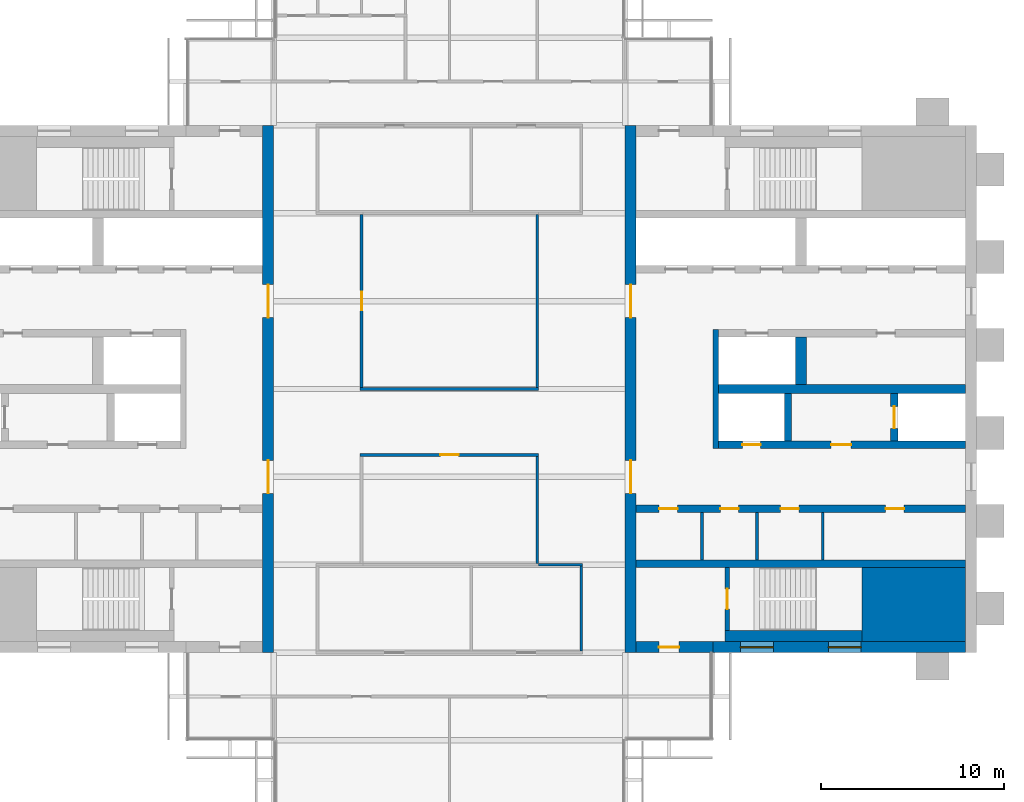
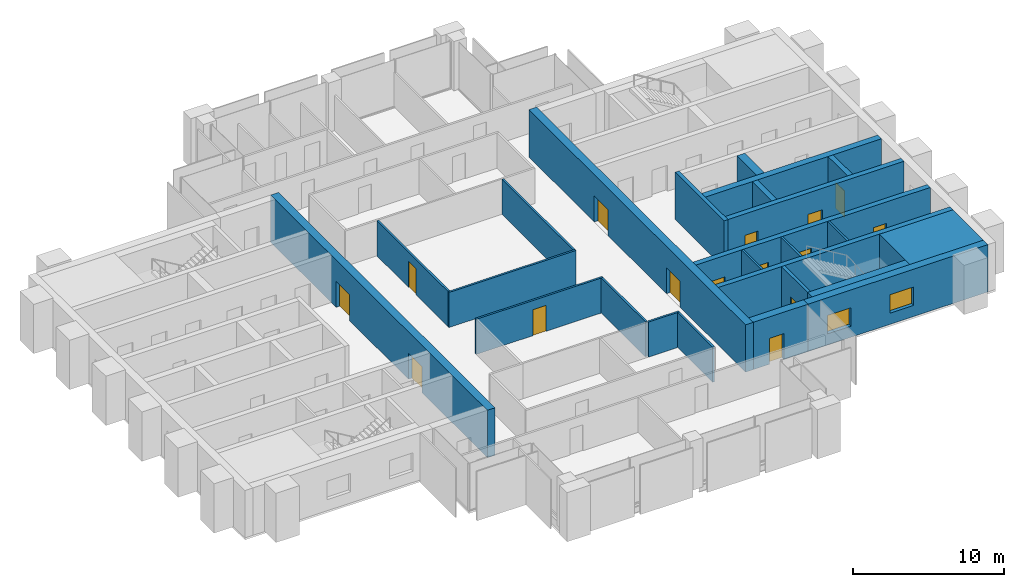
# One storey, part 9 of 13: 25 walls, 15 doors, 2 windows, 17 openings.
"""IFC4 building model written with IfcOpenShell, lengths in metres."""

from ifc_helpers import new_model, si_unit, direction, frame, frame_2d, origin, place, context, subcontext, project, spatial, rectangle, extrude, material, layer, layer_set, type_object, element, fill, save


model = new_model("IFC4")

# Units and contexts
model_context = context("Model", 3, precision=1e-05, world=origin(), true_north=direction((0.0, 1.0)))
body_context = subcontext(model_context, "Body", "Model", "MODEL_VIEW")
ifc_project = project(units=[si_unit("LENGTHUNIT", "METRE"), si_unit("AREAUNIT", "SQUARE_METRE"), si_unit("VOLUMEUNIT", "CUBIC_METRE"), si_unit("PLANEANGLEUNIT", "RADIAN"), si_unit("MASSUNIT", "GRAM", prefix="KILO")], contexts=[model_context])

# Site, building, storey
site_placement = place(None, origin())
site = spatial("IfcSite", under=ifc_project, at=site_placement, CompositionType="ELEMENT")
building_placement = place(site_placement, origin())
building = spatial("IfcBuilding", under=site, at=building_placement, Name="Baori Bourse Tower", CompositionType="ELEMENT")
storey_placement = place(building_placement, frame((0.0, 0.0, 346.300048828125)))
storey = spatial("IfcBuildingStorey", under=building, at=storey_placement, Name="L77", CompositionType="ELEMENT", Elevation=346.300048828125)

# Walls
ifc_material_1 = material(Name="Concrete f'c 40 MPa", Category="concrete")
wall_type_1 = type_object("IfcWallType", Name="Core corner block f'c 40", PredefinedType="SHEAR", material=ifc_material_1)
wall_1_placement = place(storey_placement, frame((51.35009765625, 12.22509765625, 0.0), z_axis=(0.0, 0.0, 1.0), x_axis=(1.0, 0.0, 0.0)))
element("IfcWall", 1, at=wall_1_placement, inside=storey, type_object=wall_type_1, Name="Core wall E05", PredefinedType="SHEAR", context=body_context, shape_type="SweptSolid", body=[
    extrude(rectangle(XDim=5.64990234375, YDim=4.050048828125, at=frame_2d((2.824951171875, 0.0))), origin(), (0.0, 0.0, 1.0), 3.83984375),
])
ifc_material_2 = material(Name="Blockwork partition", Category="masonry")
ifc_layer_1 = layer(ifc_material_2, 0.14990234375)
ifc_layer_set_1 = layer_set([ifc_layer_1], Name="Core partition 150")
wall_type_2 = type_object("IfcWallType", Name="Core partition 150", PredefinedType="PARTITIONING", material=ifc_layer_set_1)
for number, where, z_axis, x_axis, name in (
    (2, (49.199951171875, 14.64990234375, 0.0), (0.0, 0.0, 1.0), (0.0, 1.0, 0.0), "Partition wall E09"),
    (3, (45.60009765625, 14.64990234375, 0.0), (0.0, 0.0, 1.0), (0.0, 1.0, 0.0), "Partition wall E10"),
    (4, (42.60009765625, 14.64990234375, 0.0), (0.0, 0.0, 1.0), (0.0, 1.0, 0.0), "Partition wall E11"),
):
    element("IfcWall", number, at=place(storey_placement, frame(where, z_axis=z_axis, x_axis=x_axis)), inside=storey, type_object=wall_type_2, Name=name, PredefinedType="PARTITIONING", context=body_context, shape_type="SweptSolid", body=[
        extrude(rectangle(XDim=2.60009765625, YDim=0.14990234375, at=frame_2d((1.300048828125, 0.0))), origin(), (0.0, 0.0, 1.0), 3.83984375),
    ])

# Wall, openings, doors
ifc_material_3 = material(Name="Concrete f'c 40 MPa", Category="concrete")
ifc_layer_2 = layer(ifc_material_3, 0.60009765625)
ifc_layer_set_2 = layer_set([ifc_layer_2], Name="Core wall 600 f'c 40")
wall_type_3 = type_object("IfcWallType", Name="Core wall 600 f'c 40", PredefinedType="SHEAR", material=ifc_layer_set_2)
wall_2_placement = place(storey_placement, frame((18.89990234375, 38.39990234375, 0.0), z_axis=(0.0, 0.0, 1.0), x_axis=(0.0, -1.0, 0.0)))
wall_2 = element("IfcWall", 5, at=wall_2_placement, inside=storey, type_object=wall_type_3, Name="Core wall W04", PredefinedType="SHEAR", context=body_context, shape_type="SweptSolid", body=[
    extrude(rectangle(XDim=28.7998046875, YDim=0.60009765625, at=frame_2d((14.39990234375, 0.0))), origin(), (0.0, 0.0, 1.0), 3.83984375),
])
opening_1_placement = place(wall_2_placement, frame((18.300048828125, 0.0, 0.0)))
opening_1 = element("IfcOpeningElement", 6, at=opening_1_placement, cuts=wall_2, Name="Opening L77-D107", PredefinedType="OPENING", context=body_context, shape_type="SweptSolid", body=[
    extrude(rectangle(XDim=1.800048828125, YDim=2.10009765625, at=frame_2d((0.89990234375, 1.050048828125))), frame((0.0, 0.31005859375, 0.0), z_axis=(0.0, -1.0, 0.0), x_axis=(1.0, 0.0, 0.0)), (0.0, 0.0, 1.0), 0.6201171875),
])
opening_2_placement = place(wall_2_placement, frame((8.699951171875, 0.0, 0.0)))
opening_2 = element("IfcOpeningElement", 7, at=opening_2_placement, cuts=wall_2, Name="Opening L77-D108", PredefinedType="OPENING", context=body_context, shape_type="SweptSolid", body=[
    extrude(rectangle(XDim=1.800048828125, YDim=2.10009765625, at=frame_2d((0.89990234375, 1.050048828125))), frame((0.0, 0.31005859375, 0.0), z_axis=(0.0, -1.0, 0.0), x_axis=(1.0, 0.0, 0.0)), (0.0, 0.0, 1.0), 0.6201171875),
])
ifc_material_4 = material(Name="Painted steel door", Category="steel")
door_type_1 = type_object("IfcDoorType", Name="Core lobby door 1800", OperationType="DOUBLE_DOOR_SINGLE_SWING", PredefinedType="DOOR", material=ifc_material_4)
door_1_placement = place(opening_1_placement, origin())
door_1 = element("IfcDoor", 8, at=door_1_placement, inside=storey, type_object=door_type_1, Name="Lobby door W L77", OperationType="DOUBLE_DOOR_SINGLE_SWING", OverallHeight=2.10009765625, OverallWidth=1.800048828125, PredefinedType="DOOR", context=body_context, shape_type="SweptSolid", body=[
    extrude(rectangle(XDim=1.800048828125, YDim=2.10009765625, at=frame_2d((0.89990234375, 1.050048828125))), frame((0.0, 0.02490234375, 0.0), z_axis=(0.0, -1.0, 0.0), x_axis=(1.0, 0.0, 0.0)), (0.0, 0.0, 1.0), 0.050048828125),
])
fill(opening_1, door_1)
door_2_placement = place(opening_2_placement, origin())
door_2 = element("IfcDoor", 9, at=door_2_placement, inside=storey, type_object=door_type_1, Name="Lobby door W L77", OperationType="DOUBLE_DOOR_SINGLE_SWING", OverallHeight=2.10009765625, OverallWidth=1.800048828125, PredefinedType="DOOR", context=body_context, shape_type="SweptSolid", body=[
    extrude(rectangle(XDim=1.800048828125, YDim=2.10009765625, at=frame_2d((0.89990234375, 1.050048828125))), frame((0.0, 0.02490234375, 0.0), z_axis=(0.0, -1.0, 0.0), x_axis=(1.0, 0.0, 0.0)), (0.0, 0.0, 1.0), 0.050048828125),
])
fill(opening_2, door_2)

# Wall, openings, windows
wall_3_placement = place(storey_placement, frame((57.0, 9.89990234375, 0.0), z_axis=(0.0, 0.0, 1.0), x_axis=(-1.0, 0.0, 0.0)))
wall_3 = element("IfcWall", 10, at=wall_3_placement, inside=storey, type_object=wall_type_3, Name="Core wall E02", PredefinedType="SHEAR", context=body_context, shape_type="SweptSolid", body=[
    extrude(rectangle(XDim=13.800048828125, YDim=0.60009765625, at=frame_2d((6.89990234375, 0.0))), origin(), (0.0, 0.0, 1.0), 3.83984375),
])
opening_3_placement = place(wall_3_placement, frame((5.699951171875, 0.0, 0.89990234375)))
opening_3 = element("IfcOpeningElement", 11, at=opening_3_placement, cuts=wall_3, Name="Opening L77-KW203", PredefinedType="OPENING", context=body_context, shape_type="SweptSolid", body=[
    extrude(rectangle(XDim=1.800048828125, YDim=1.5, at=frame_2d((0.89990234375, 0.75))), frame((0.0, 0.31005859375, 0.0), z_axis=(0.0, -1.0, 0.0), x_axis=(1.0, 0.0, 0.0)), (0.0, 0.0, 1.0), 0.6201171875),
])
opening_4_placement = place(wall_3_placement, frame((10.5, 0.0, 0.89990234375)))
opening_4 = element("IfcOpeningElement", 12, at=opening_4_placement, cuts=wall_3, Name="Opening L77-KW204", PredefinedType="OPENING", context=body_context, shape_type="SweptSolid", body=[
    extrude(rectangle(XDim=1.800048828125, YDim=1.5, at=frame_2d((0.89990234375, 0.75))), frame((0.0, 0.31005859375, 0.0), z_axis=(0.0, -1.0, 0.0), x_axis=(1.0, 0.0, 0.0)), (0.0, 0.0, 1.0), 0.6201171875),
])
ifc_material_5 = material(Name="Pale anodised aluminium", Category="aluminium")
window_type = type_object("IfcWindowType", Name="Stair window 1800 x 1500", PartitioningType="SINGLE_PANEL", PredefinedType="WINDOW", material=ifc_material_5)
window_1_placement = place(opening_3_placement, origin())
window_1 = element("IfcWindow", 13, at=window_1_placement, inside=storey, type_object=window_type, Name="Stair window E L77 3", OverallHeight=1.5, OverallWidth=1.800048828125, PartitioningType="SINGLE_PANEL", PredefinedType="WINDOW", context=body_context, shape_type="SweptSolid", body=[
    extrude(rectangle(XDim=1.800048828125, YDim=1.5, at=frame_2d((0.89990234375, 0.75))), frame((0.0, 0.030029296875, 0.0), z_axis=(0.0, -1.0, 0.0), x_axis=(1.0, 0.0, 0.0)), (0.0, 0.0, 1.0), 0.06005859375),
])
fill(opening_3, window_1)
window_2_placement = place(opening_4_placement, origin())
window_2 = element("IfcWindow", 14, at=window_2_placement, inside=storey, type_object=window_type, Name="Stair window E L77 4", OverallHeight=1.5, OverallWidth=1.800048828125, PartitioningType="SINGLE_PANEL", PredefinedType="WINDOW", context=body_context, shape_type="SweptSolid", body=[
    extrude(rectangle(XDim=1.800048828125, YDim=1.5, at=frame_2d((0.89990234375, 0.75))), frame((0.0, 0.030029296875, 0.0), z_axis=(0.0, -1.0, 0.0), x_axis=(1.0, 0.0, 0.0)), (0.0, 0.0, 1.0), 0.06005859375),
])
fill(opening_4, window_2)

# Wall, opening, door
wall_4_placement = place(storey_placement, frame((43.199951171875, 9.89990234375, 0.0), z_axis=(0.0, 0.0, 1.0), x_axis=(-1.0, 0.0, 0.0)))
wall_4 = element("IfcWall", 15, at=wall_4_placement, inside=storey, type_object=wall_type_3, Name="Core wall E03", PredefinedType="SHEAR", context=body_context, shape_type="SweptSolid", body=[
    extrude(rectangle(XDim=4.199951171875, YDim=0.60009765625, at=frame_2d((2.10009765625, 0.0))), origin(), (0.0, 0.0, 1.0), 3.83984375),
])
opening_5_placement = place(wall_4_placement, frame((1.85009765625, 0.0, 0.0)))
opening_5 = element("IfcOpeningElement", 16, at=opening_5_placement, cuts=wall_4, Name="Opening L77-D202", PredefinedType="OPENING", context=body_context, shape_type="SweptSolid", body=[
    extrude(rectangle(XDim=1.10009765625, YDim=2.10009765625, at=frame_2d((0.550048828125, 1.050048828125))), frame((0.0, 0.31005859375, 0.0), z_axis=(0.0, -1.0, 0.0), x_axis=(1.0, 0.0, 0.0)), (0.0, 0.0, 1.0), 0.6201171875),
])
ifc_material_6 = material(Name="Painted steel door", Category="steel")
door_type_2 = type_object("IfcDoorType", Name="Stair door 1100", OperationType="SINGLE_SWING_LEFT", PredefinedType="DOOR", material=ifc_material_6)
door_3_placement = place(opening_5_placement, origin())
door_3 = element("IfcDoor", 17, at=door_3_placement, inside=storey, type_object=door_type_2, Name="Stair vestibule door A E L77", OperationType="SINGLE_SWING_LEFT", OverallHeight=2.10009765625, OverallWidth=1.10009765625, PredefinedType="DOOR", context=body_context, shape_type="SweptSolid", body=[
    extrude(rectangle(XDim=1.10009765625, YDim=2.10009765625, at=frame_2d((0.550048828125, 1.050048828125))), frame((0.0, 0.02490234375, 0.0), z_axis=(0.0, -1.0, 0.0), x_axis=(1.0, 0.0, 0.0)), (0.0, 0.0, 1.0), 0.050048828125),
])
fill(opening_5, door_3)

# Wall, openings, doors
wall_5_placement = place(storey_placement, frame((38.699951171875, 9.60009765625, 0.0), z_axis=(0.0, 0.0, 1.0), x_axis=(0.0, 1.0, 0.0)))
wall_5 = element("IfcWall", 18, at=wall_5_placement, inside=storey, type_object=wall_type_3, Name="Core wall E04", PredefinedType="SHEAR", context=body_context, shape_type="SweptSolid", body=[
    extrude(rectangle(XDim=28.7998046875, YDim=0.60009765625, at=frame_2d((14.39990234375, 0.0))), origin(), (0.0, 0.0, 1.0), 3.83984375),
])
opening_6_placement = place(wall_5_placement, frame((8.699951171875, 0.0, 0.0)))
opening_6 = element("IfcOpeningElement", 19, at=opening_6_placement, cuts=wall_5, Name="Opening L77-D207", PredefinedType="OPENING", context=body_context, shape_type="SweptSolid", body=[
    extrude(rectangle(XDim=1.800048828125, YDim=2.10009765625, at=frame_2d((0.89990234375, 1.050048828125))), frame((0.0, 0.31005859375, 0.0), z_axis=(0.0, -1.0, 0.0), x_axis=(1.0, 0.0, 0.0)), (0.0, 0.0, 1.0), 0.6201171875),
])
opening_7_placement = place(wall_5_placement, frame((18.300048828125, 0.0, 0.0)))
opening_7 = element("IfcOpeningElement", 20, at=opening_7_placement, cuts=wall_5, Name="Opening L77-D208", PredefinedType="OPENING", context=body_context, shape_type="SweptSolid", body=[
    extrude(rectangle(XDim=1.800048828125, YDim=2.10009765625, at=frame_2d((0.89990234375, 1.050048828125))), frame((0.0, 0.31005859375, 0.0), z_axis=(0.0, -1.0, 0.0), x_axis=(1.0, 0.0, 0.0)), (0.0, 0.0, 1.0), 0.6201171875),
])
door_4_placement = place(opening_6_placement, origin())
door_4 = element("IfcDoor", 21, at=door_4_placement, inside=storey, type_object=door_type_1, Name="Lobby door E L77", OperationType="DOUBLE_DOOR_SINGLE_SWING", OverallHeight=2.10009765625, OverallWidth=1.800048828125, PredefinedType="DOOR", context=body_context, shape_type="SweptSolid", body=[
    extrude(rectangle(XDim=1.800048828125, YDim=2.10009765625, at=frame_2d((0.89990234375, 1.050048828125))), frame((0.0, 0.02490234375, 0.0), z_axis=(0.0, -1.0, 0.0), x_axis=(1.0, 0.0, 0.0)), (0.0, 0.0, 1.0), 0.050048828125),
])
fill(opening_6, door_4)
door_5_placement = place(opening_7_placement, origin())
door_5 = element("IfcDoor", 22, at=door_5_placement, inside=storey, type_object=door_type_1, Name="Lobby door E L77", OperationType="DOUBLE_DOOR_SINGLE_SWING", OverallHeight=2.10009765625, OverallWidth=1.800048828125, PredefinedType="DOOR", context=body_context, shape_type="SweptSolid", body=[
    extrude(rectangle(XDim=1.800048828125, YDim=2.10009765625, at=frame_2d((0.89990234375, 1.050048828125))), frame((0.0, 0.02490234375, 0.0), z_axis=(0.0, -1.0, 0.0), x_axis=(1.0, 0.0, 0.0)), (0.0, 0.0, 1.0), 0.050048828125),
])
fill(opening_7, door_5)

# Wall
ifc_material_7 = material(Name="Gypsum board partition")
ifc_layer_3 = layer(ifc_material_7, 0.14990234375)
ifc_layer_set_3 = layer_set([ifc_layer_3], Name="Corridor partition 150")
wall_type_4 = type_object("IfcWallType", Name="Corridor partition 150", PredefinedType="PARTITIONING", material=ifc_layer_set_3)
wall_6_placement = place(storey_placement, frame((33.675048828125, 14.39990234375, 0.0), z_axis=(0.0, 0.0, 1.0), x_axis=(1.0, 0.0, 0.0)))
element("IfcWall", 23, at=wall_6_placement, inside=storey, type_object=wall_type_4, Name="Partition", PredefinedType="PARTITIONING", context=body_context, shape_type="SweptSolid", body=[
    extrude(rectangle(XDim=2.39990234375, YDim=0.14990234375, at=frame_2d((1.199951171875, 0.0))), origin(), (0.0, 0.0, 1.0), 2.849365234375),
])

# Wall, opening, door
wall_7_placement = place(storey_placement, frame((23.925048828125, 20.39990234375, 0.0), z_axis=(0.0, 0.0, 1.0), x_axis=(1.0, 0.0, 0.0)))
wall_7 = element("IfcWall", 24, at=wall_7_placement, inside=storey, type_object=wall_type_4, Name="Partition", PredefinedType="PARTITIONING", context=body_context, shape_type="SweptSolid", body=[
    extrude(rectangle(XDim=9.75, YDim=0.14990234375, at=frame_2d((4.875, 0.0))), origin(), (0.0, 0.0, 1.0), 2.849365234375),
])
opening_8_placement = place(wall_7_placement, frame((4.375, 0.0, 0.0)))
opening_8 = element("IfcOpeningElement", 25, at=opening_8_placement, cuts=wall_7, Name="Opening L77-D06", PredefinedType="OPENING", context=body_context, shape_type="SweptSolid", body=[
    extrude(rectangle(XDim=1.0, YDim=2.10009765625, at=frame_2d((0.5, 1.050048828125))), frame((0.0, 0.0849609375, 0.0), z_axis=(0.0, -1.0, 0.0), x_axis=(1.0, 0.0, 0.0)), (0.0, 0.0, 1.0), 0.169921875),
])
ifc_material_8 = material(Name="Timber door leaf", Category="wood")
door_type_3 = type_object("IfcDoorType", Name="Door 1000 x 2100", OperationType="SINGLE_SWING_LEFT", PredefinedType="DOOR", material=ifc_material_8)
door_6_placement = place(opening_8_placement, origin())
door_6 = element("IfcDoor", 26, at=door_6_placement, inside=storey, type_object=door_type_3, Name="Door", OperationType="SINGLE_SWING_RIGHT", OverallHeight=2.10009765625, OverallWidth=1.0, PredefinedType="DOOR", context=body_context, shape_type="SweptSolid", body=[
    extrude(rectangle(XDim=1.0, YDim=2.10009765625, at=frame_2d((0.5, 1.050048828125))), frame((0.0, 0.02490234375, 0.0), z_axis=(0.0, -1.0, 0.0), x_axis=(1.0, 0.0, 0.0)), (0.0, 0.0, 1.0), 0.050048828125),
])
fill(opening_8, door_6)

# Wall
wall_8_placement = place(storey_placement, frame((23.925048828125, 24.0, 0.0), z_axis=(0.0, 0.0, 1.0), x_axis=(1.0, 0.0, 0.0)))
element("IfcWall", 27, at=wall_8_placement, inside=storey, type_object=wall_type_4, Name="Partition", PredefinedType="PARTITIONING", context=body_context, shape_type="SweptSolid", body=[
    extrude(rectangle(XDim=9.75, YDim=0.14990234375, at=frame_2d((4.875, 0.0))), origin(), (0.0, 0.0, 1.0), 2.849365234375),
])

# Wall, opening, door
wall_9_placement = place(storey_placement, frame((24.0, 24.074951171875, 0.0), z_axis=(0.0, 0.0, 1.0), x_axis=(0.0, 1.0, 0.0)))
wall_9 = element("IfcWall", 28, at=wall_9_placement, inside=storey, type_object=wall_type_4, Name="Partition", PredefinedType="PARTITIONING", context=body_context, shape_type="SweptSolid", body=[
    extrude(rectangle(XDim=9.449951171875, YDim=0.14990234375, at=frame_2d((4.72509765625, 0.0))), origin(), (0.0, 0.0, 1.0), 2.849365234375),
])
opening_9_placement = place(wall_9_placement, frame((4.22509765625, 0.0, 0.0)))
opening_9 = element("IfcOpeningElement", 29, at=opening_9_placement, cuts=wall_9, Name="Opening L77-D18", PredefinedType="OPENING", context=body_context, shape_type="SweptSolid", body=[
    extrude(rectangle(XDim=1.0, YDim=2.10009765625, at=frame_2d((0.5, 1.050048828125))), frame((0.0, 0.0849609375, 0.0), z_axis=(0.0, -1.0, 0.0), x_axis=(1.0, 0.0, 0.0)), (0.0, 0.0, 1.0), 0.169921875),
])
door_7_placement = place(opening_9_placement, origin())
door_7 = element("IfcDoor", 30, at=door_7_placement, inside=storey, type_object=door_type_3, Name="Door", OperationType="SINGLE_SWING_RIGHT", OverallHeight=2.10009765625, OverallWidth=1.0, PredefinedType="DOOR", context=body_context, shape_type="SweptSolid", body=[
    extrude(rectangle(XDim=1.0, YDim=2.10009765625, at=frame_2d((0.5, 1.050048828125))), frame((0.0, 0.02490234375, 0.0), z_axis=(0.0, -1.0, 0.0), x_axis=(1.0, 0.0, 0.0)), (0.0, 0.0, 1.0), 0.050048828125),
])
fill(opening_9, door_7)

# Walls
wall_10_placement = place(storey_placement, frame((33.60009765625, 14.47509765625, 0.0), z_axis=(0.0, 0.0, 1.0), x_axis=(0.0, 1.0, 0.0)))
element("IfcWall", 31, at=wall_10_placement, inside=storey, type_object=wall_type_4, Name="Partition", PredefinedType="PARTITIONING", context=body_context, shape_type="SweptSolid", body=[
    extrude(rectangle(XDim=5.849853515625, YDim=0.14990234375, at=frame_2d((2.9248046875, 0.0))), origin(), (0.0, 0.0, 1.0), 2.849365234375),
])
wall_11_placement = place(storey_placement, frame((33.60009765625, 24.074951171875, 0.0), z_axis=(0.0, 0.0, 1.0), x_axis=(0.0, 1.0, 0.0)))
element("IfcWall", 32, at=wall_11_placement, inside=storey, type_object=wall_type_4, Name="Partition", PredefinedType="PARTITIONING", context=body_context, shape_type="SweptSolid", body=[
    extrude(rectangle(XDim=9.449951171875, YDim=0.14990234375, at=frame_2d((4.72509765625, 0.0))), origin(), (0.0, 0.0, 1.0), 2.849365234375),
])
wall_12_placement = place(storey_placement, frame((36.0, 9.675048828125, 0.0), z_axis=(0.0, 0.0, 1.0), x_axis=(0.0, 1.0, 0.0)))
element("IfcWall", 33, at=wall_12_placement, inside=storey, type_object=wall_type_4, Name="Partition", PredefinedType="PARTITIONING", context=body_context, shape_type="SweptSolid", body=[
    extrude(rectangle(XDim=4.64990234375, YDim=0.14990234375, at=frame_2d((2.324951171875, 0.0))), origin(), (0.0, 0.0, 1.0), 2.849365234375),
])

# Wall, opening, door
ifc_material_9 = material(Name="Concrete f'c 40 MPa", Category="concrete")
ifc_layer_4 = layer(ifc_material_9, 0.25)
ifc_layer_set_4 = layer_set([ifc_layer_4], Name="Shaft wall 250 f'c 40")
wall_type_5 = type_object("IfcWallType", Name="Shaft wall 250 f'c 40", PredefinedType="SHEAR", material=ifc_layer_set_4)
wall_13_placement = place(storey_placement, frame((43.97509765625, 10.800048828125, 0.0), z_axis=(0.0, 0.0, 1.0), x_axis=(0.0, 1.0, 0.0)))
wall_13 = element("IfcWall", 34, at=wall_13_placement, inside=storey, type_object=wall_type_5, Name="Core wall E07", PredefinedType="SHEAR", context=body_context, shape_type="SweptSolid", body=[
    extrude(rectangle(XDim=3.449951171875, YDim=0.25, at=frame_2d((1.72509765625, 0.0))), origin(), (0.0, 0.0, 1.0), 3.83984375),
])
opening_10_placement = place(wall_13_placement, frame((1.175048828125, 0.0, 0.0)))
opening_10 = element("IfcOpeningElement", 35, at=opening_10_placement, cuts=wall_13, Name="Opening L77-D201", PredefinedType="OPENING", context=body_context, shape_type="SweptSolid", body=[
    extrude(rectangle(XDim=1.10009765625, YDim=2.10009765625, at=frame_2d((0.550048828125, 1.050048828125))), frame((0.0, 0.135009765625, 0.0), z_axis=(0.0, -1.0, 0.0), x_axis=(1.0, 0.0, 0.0)), (0.0, 0.0, 1.0), 0.27001953125),
])
door_8_placement = place(opening_10_placement, origin())
door_8 = element("IfcDoor", 36, at=door_8_placement, inside=storey, type_object=door_type_2, Name="Stair door A E L77", OperationType="SINGLE_SWING_LEFT", OverallHeight=2.10009765625, OverallWidth=1.10009765625, PredefinedType="DOOR", context=body_context, shape_type="SweptSolid", body=[
    extrude(rectangle(XDim=1.10009765625, YDim=2.10009765625, at=frame_2d((0.550048828125, 1.050048828125))), frame((0.0, 0.02490234375, 0.0), z_axis=(0.0, -1.0, 0.0), x_axis=(1.0, 0.0, 0.0)), (0.0, 0.0, 1.0), 0.050048828125),
])
fill(opening_10, door_8)

# Walls
ifc_material_10 = material(Name="Concrete f'c 40 MPa", Category="concrete")
ifc_layer_5 = layer(ifc_material_10, 0.300048828125)
ifc_layer_set_5 = layer_set([ifc_layer_5], Name="Shaft wall 300 f'c 40")
wall_type_6 = type_object("IfcWallType", Name="Shaft wall 300 f'c 40", PredefinedType="SHEAR", material=ifc_layer_set_5)
wall_14_placement = place(storey_placement, frame((43.35009765625, 20.75, 0.0), z_axis=(0.0, 0.0, 1.0), x_axis=(0.0, 1.0, 0.0)))
element("IfcWall", 37, at=wall_14_placement, inside=storey, type_object=wall_type_6, Name="Core wall E14", PredefinedType="SHEAR", context=body_context, shape_type="SweptSolid", body=[
    extrude(rectangle(XDim=6.5, YDim=0.300048828125, at=frame_2d((3.25, 0.0))), origin(), (0.0, 0.0, 1.0), 3.83984375),
])
ifc_material_11 = material(Name="Concrete f'c 40 MPa", Category="concrete")
ifc_layer_6 = layer(ifc_material_11, 0.39990234375)
ifc_layer_set_6 = layer_set([ifc_layer_6], Name="Shaft wall 400 f'c 40")
wall_type_7 = type_object("IfcWallType", Name="Shaft wall 400 f'c 40", PredefinedType="SHEAR", material=ifc_layer_set_6)
wall_15_placement = place(storey_placement, frame((39.0, 14.449951171875, 0.0), z_axis=(0.0, 0.0, 1.0), x_axis=(1.0, 0.0, 0.0)))
element("IfcWall", 38, at=wall_15_placement, inside=storey, type_object=wall_type_7, Name="Core wall E08", PredefinedType="SHEAR", context=body_context, shape_type="SweptSolid", body=[
    extrude(rectangle(XDim=18.0, YDim=0.39990234375, at=frame_2d((9.0, 0.0))), origin(), (0.0, 0.0, 1.0), 3.83984375),
])

# Wall, openings, doors
wall_16_placement = place(storey_placement, frame((39.0, 17.449951171875, 0.0), z_axis=(0.0, 0.0, 1.0), x_axis=(1.0, 0.0, 0.0)))
wall_16 = element("IfcWall", 39, at=wall_16_placement, inside=storey, type_object=wall_type_7, Name="Core wall E12", PredefinedType="SHEAR", context=body_context, shape_type="SweptSolid", body=[
    extrude(rectangle(XDim=18.0, YDim=0.39990234375, at=frame_2d((9.0, 0.0))), origin(), (0.0, 0.0, 1.0), 3.83984375),
])
opening_11_placement = place(wall_16_placement, frame((13.637451171875, 0.0, 0.0)))
opening_11 = element("IfcOpeningElement", 40, at=opening_11_placement, cuts=wall_16, Name="Opening L77-D209", PredefinedType="OPENING", context=body_context, shape_type="SweptSolid", body=[
    extrude(rectangle(XDim=1.0, YDim=2.10009765625, at=frame_2d((0.5, 1.050048828125))), frame((0.0, 0.2099609375, 0.0), z_axis=(0.0, -1.0, 0.0), x_axis=(1.0, 0.0, 0.0)), (0.0, 0.0, 1.0), 0.419921875),
])
opening_12_placement = place(wall_16_placement, frame((7.89990234375, 0.0, 0.0)))
opening_12 = element("IfcOpeningElement", 41, at=opening_12_placement, cuts=wall_16, Name="Opening L77-D210", PredefinedType="OPENING", context=body_context, shape_type="SweptSolid", body=[
    extrude(rectangle(XDim=1.0, YDim=2.10009765625, at=frame_2d((0.5, 1.050048828125))), frame((0.0, 0.2099609375, 0.0), z_axis=(0.0, -1.0, 0.0), x_axis=(1.0, 0.0, 0.0)), (0.0, 0.0, 1.0), 0.419921875),
])
opening_13_placement = place(wall_16_placement, frame((4.60009765625, 0.0, 0.0)))
opening_13 = element("IfcOpeningElement", 42, at=opening_13_placement, cuts=wall_16, Name="Opening L77-D211", PredefinedType="OPENING", context=body_context, shape_type="SweptSolid", body=[
    extrude(rectangle(XDim=1.0, YDim=2.10009765625, at=frame_2d((0.5, 1.050048828125))), frame((0.0, 0.2099609375, 0.0), z_axis=(0.0, -1.0, 0.0), x_axis=(1.0, 0.0, 0.0)), (0.0, 0.0, 1.0), 0.419921875),
])
opening_14_placement = place(wall_16_placement, frame((1.262451171875, 0.0, 0.0)))
opening_14 = element("IfcOpeningElement", 43, at=opening_14_placement, cuts=wall_16, Name="Opening L77-D212", PredefinedType="OPENING", context=body_context, shape_type="SweptSolid", body=[
    extrude(rectangle(XDim=1.0, YDim=2.10009765625, at=frame_2d((0.5, 1.050048828125))), frame((0.0, 0.2099609375, 0.0), z_axis=(0.0, -1.0, 0.0), x_axis=(1.0, 0.0, 0.0)), (0.0, 0.0, 1.0), 0.419921875),
])
ifc_material_12 = material(Name="Painted steel door", Category="steel")
door_type_4 = type_object("IfcDoorType", Name="Core door 1000", OperationType="SINGLE_SWING_LEFT", PredefinedType="DOOR", material=ifc_material_12)
door_9_placement = place(opening_11_placement, origin())
door_9 = element("IfcDoor", 44, at=door_9_placement, inside=storey, type_object=door_type_4, Name="Men'S Wc door E L77", OperationType="SINGLE_SWING_LEFT", OverallHeight=2.10009765625, OverallWidth=1.0, PredefinedType="DOOR", context=body_context, shape_type="SweptSolid", body=[
    extrude(rectangle(XDim=1.0, YDim=2.10009765625, at=frame_2d((0.5, 1.050048828125))), frame((0.0, 0.02490234375, 0.0), z_axis=(0.0, -1.0, 0.0), x_axis=(1.0, 0.0, 0.0)), (0.0, 0.0, 1.0), 0.050048828125),
])
fill(opening_11, door_9)
door_10_placement = place(opening_12_placement, origin())
door_10 = element("IfcDoor", 45, at=door_10_placement, inside=storey, type_object=door_type_4, Name="Women'S Wc door E L77", OperationType="SINGLE_SWING_LEFT", OverallHeight=2.10009765625, OverallWidth=1.0, PredefinedType="DOOR", context=body_context, shape_type="SweptSolid", body=[
    extrude(rectangle(XDim=1.0, YDim=2.10009765625, at=frame_2d((0.5, 1.050048828125))), frame((0.0, 0.02490234375, 0.0), z_axis=(0.0, -1.0, 0.0), x_axis=(1.0, 0.0, 0.0)), (0.0, 0.0, 1.0), 0.050048828125),
])
fill(opening_12, door_10)
door_11_placement = place(opening_13_placement, origin())
door_11 = element("IfcDoor", 46, at=door_11_placement, inside=storey, type_object=door_type_4, Name="Accessible Wc door E L77", OperationType="SINGLE_SWING_LEFT", OverallHeight=2.10009765625, OverallWidth=1.0, PredefinedType="DOOR", context=body_context, shape_type="SweptSolid", body=[
    extrude(rectangle(XDim=1.0, YDim=2.10009765625, at=frame_2d((0.5, 1.050048828125))), frame((0.0, 0.02490234375, 0.0), z_axis=(0.0, -1.0, 0.0), x_axis=(1.0, 0.0, 0.0)), (0.0, 0.0, 1.0), 0.050048828125),
])
fill(opening_13, door_11)
door_12_placement = place(opening_14_placement, origin())
door_12 = element("IfcDoor", 47, at=door_12_placement, inside=storey, type_object=door_type_4, Name="Pantry door E L77", OperationType="SINGLE_SWING_LEFT", OverallHeight=2.10009765625, OverallWidth=1.0, PredefinedType="DOOR", context=body_context, shape_type="SweptSolid", body=[
    extrude(rectangle(XDim=1.0, YDim=2.10009765625, at=frame_2d((0.5, 1.050048828125))), frame((0.0, 0.02490234375, 0.0), z_axis=(0.0, -1.0, 0.0), x_axis=(1.0, 0.0, 0.0)), (0.0, 0.0, 1.0), 0.050048828125),
])
fill(opening_14, door_12)

wall_17_placement = place(storey_placement, frame((43.5, 20.949951171875, 0.0), z_axis=(0.0, 0.0, 1.0), x_axis=(1.0, 0.0, 0.0)))
wall_17 = element("IfcWall", 48, at=wall_17_placement, inside=storey, type_object=wall_type_7, Name="Core wall E13", PredefinedType="SHEAR", context=body_context, shape_type="SweptSolid", body=[
    extrude(rectangle(XDim=13.5, YDim=0.39990234375, at=frame_2d((6.75, 0.0))), origin(), (0.0, 0.0, 1.0), 3.83984375),
])
opening_15_placement = place(wall_17_placement, frame((6.14990234375, 0.0, 0.0)))
opening_15 = element("IfcOpeningElement", 49, at=opening_15_placement, cuts=wall_17, Name="Opening L77-D205", PredefinedType="OPENING", context=body_context, shape_type="SweptSolid", body=[
    extrude(rectangle(XDim=1.10009765625, YDim=2.10009765625, at=frame_2d((0.550048828125, 1.050048828125))), frame((0.0, 0.2099609375, 0.0), z_axis=(0.0, -1.0, 0.0), x_axis=(1.0, 0.0, 0.0)), (0.0, 0.0, 1.0), 0.419921875),
])
opening_16_placement = place(wall_17_placement, frame((1.300048828125, 0.0, 0.0)))
opening_16 = element("IfcOpeningElement", 50, at=opening_16_placement, cuts=wall_17, Name="Opening L77-D206", PredefinedType="OPENING", context=body_context, shape_type="SweptSolid", body=[
    extrude(rectangle(XDim=1.0, YDim=2.10009765625, at=frame_2d((0.5, 1.050048828125))), frame((0.0, 0.2099609375, 0.0), z_axis=(0.0, -1.0, 0.0), x_axis=(1.0, 0.0, 0.0)), (0.0, 0.0, 1.0), 0.419921875),
])
ifc_material_13 = material(Name="Painted steel door", Category="steel")
door_type_5 = type_object("IfcDoorType", Name="Lobby door 1100", OperationType="SINGLE_SWING_LEFT", PredefinedType="DOOR", material=ifc_material_13)
door_13_placement = place(opening_15_placement, origin())
door_13 = element("IfcDoor", 51, at=door_13_placement, inside=storey, type_object=door_type_5, Name="Firefighting lobby door E L77", OperationType="SINGLE_SWING_LEFT", OverallHeight=2.10009765625, OverallWidth=1.10009765625, PredefinedType="DOOR", context=body_context, shape_type="SweptSolid", body=[
    extrude(rectangle(XDim=1.10009765625, YDim=2.10009765625, at=frame_2d((0.550048828125, 1.050048828125))), frame((0.0, 0.02490234375, 0.0), z_axis=(0.0, -1.0, 0.0), x_axis=(1.0, 0.0, 0.0)), (0.0, 0.0, 1.0), 0.050048828125),
])
fill(opening_15, door_13)
ifc_material_14 = material(Name="Painted steel door", Category="steel")
door_type_6 = type_object("IfcDoorType", Name="Shaft door 1000", OperationType="SINGLE_SWING_LEFT", PredefinedType="DOOR", material=ifc_material_14)
door_14_placement = place(opening_16_placement, origin())
door_14 = element("IfcDoor", 52, at=door_14_placement, inside=storey, type_object=door_type_6, Name="Riser room door E L77", OperationType="SINGLE_SWING_LEFT", OverallHeight=2.10009765625, OverallWidth=1.0, PredefinedType="DOOR", context=body_context, shape_type="SweptSolid", body=[
    extrude(rectangle(XDim=1.0, YDim=2.10009765625, at=frame_2d((0.5, 1.050048828125))), frame((0.0, 0.02490234375, 0.0), z_axis=(0.0, -1.0, 0.0), x_axis=(1.0, 0.0, 0.0)), (0.0, 0.0, 1.0), 0.050048828125),
])
fill(opening_16, door_14)

# Wall, opening, door
wall_18_placement = place(storey_placement, frame((53.10009765625, 21.14990234375, 0.0), z_axis=(0.0, 0.0, 1.0), x_axis=(0.0, 1.0, 0.0)))
wall_18 = element("IfcWall", 53, at=wall_18_placement, inside=storey, type_object=wall_type_7, Name="Core wall E15", PredefinedType="SHEAR", context=body_context, shape_type="SweptSolid", body=[
    extrude(rectangle(XDim=2.60009765625, YDim=0.39990234375, at=frame_2d((1.300048828125, 0.0))), origin(), (0.0, 0.0, 1.0), 3.83984375),
])
opening_17_placement = place(wall_18_placement, frame((0.699951171875, 0.0, 0.0)))
opening_17 = element("IfcOpeningElement", 54, at=opening_17_placement, cuts=wall_18, Name="Opening L77-D221", PredefinedType="OPENING", context=body_context, shape_type="SweptSolid", body=[
    extrude(rectangle(XDim=1.199951171875, YDim=2.10009765625, at=frame_2d((0.60009765625, 1.050048828125))), frame((0.0, 0.2099609375, 0.0), z_axis=(0.0, -1.0, 0.0), x_axis=(1.0, 0.0, 0.0)), (0.0, 0.0, 1.0), 0.419921875),
])
ifc_material_15 = material(Name="Stainless steel door", Category="steel")
door_type_7 = type_object("IfcDoorType", Name="Lift landing door", OperationType="DOUBLE_DOOR_SLIDING", PredefinedType="DOOR", material=ifc_material_15)
door_15_placement = place(opening_17_placement, origin())
door_15 = element("IfcDoor", 55, at=door_15_placement, inside=storey, type_object=door_type_7, Name="Lift landing door FF2 E L77", OperationType="DOUBLE_DOOR_SLIDING", OverallHeight=2.10009765625, OverallWidth=1.199951171875, PredefinedType="DOOR", context=body_context, shape_type="SweptSolid", body=[
    extrude(rectangle(XDim=1.199951171875, YDim=2.10009765625, at=frame_2d((0.60009765625, 1.050048828125))), frame((0.0, 0.02490234375, 0.0), z_axis=(0.0, -1.0, 0.0), x_axis=(1.0, 0.0, 0.0)), (0.0, 0.0, 1.0), 0.050048828125),
])
fill(opening_17, door_15)

# Walls
wall_19_placement = place(storey_placement, frame((47.300048828125, 21.14990234375, 0.0), z_axis=(0.0, 0.0, 1.0), x_axis=(0.0, 1.0, 0.0)))
element("IfcWall", 56, at=wall_19_placement, inside=storey, type_object=wall_type_7, Name="Core wall E16", PredefinedType="SHEAR", context=body_context, shape_type="SweptSolid", body=[
    extrude(rectangle(XDim=2.60009765625, YDim=0.39990234375, at=frame_2d((1.300048828125, 0.0))), origin(), (0.0, 0.0, 1.0), 3.83984375),
])
ifc_material_16 = material(Name="Concrete f'c 40 MPa", Category="concrete")
ifc_layer_7 = layer(ifc_material_16, 0.5)
ifc_layer_set_7 = layer_set([ifc_layer_7], Name="Shaft wall 500 f'c 40")
wall_type_8 = type_object("IfcWallType", Name="Shaft wall 500 f'c 40", PredefinedType="SHEAR", material=ifc_layer_set_7)
wall_20_placement = place(storey_placement, frame((43.5, 24.0, 0.0), z_axis=(0.0, 0.0, 1.0), x_axis=(1.0, 0.0, 0.0)))
element("IfcWall", 57, at=wall_20_placement, inside=storey, type_object=wall_type_8, Name="Core wall E17", PredefinedType="SHEAR", context=body_context, shape_type="SweptSolid", body=[
    extrude(rectangle(XDim=13.5, YDim=0.5, at=frame_2d((6.75, 0.0))), origin(), (0.0, 0.0, 1.0), 3.83984375),
])
ifc_material_17 = material(Name="Concrete f'c 40 MPa", Category="concrete")
ifc_layer_8 = layer(ifc_material_17, 0.60009765625)
ifc_layer_set_8 = layer_set([ifc_layer_8], Name="Shaft wall 600 f'c 40")
wall_type_9 = type_object("IfcWallType", Name="Shaft wall 600 f'c 40", PredefinedType="SHEAR", material=ifc_layer_set_8)
wall_21_placement = place(storey_placement, frame((43.85009765625, 10.5, 0.0), z_axis=(0.0, 0.0, 1.0), x_axis=(1.0, 0.0, 0.0)))
element("IfcWall", 58, at=wall_21_placement, inside=storey, type_object=wall_type_9, Name="Core wall E06", PredefinedType="SHEAR", context=body_context, shape_type="SweptSolid", body=[
    extrude(rectangle(XDim=7.5, YDim=0.60009765625, at=frame_2d((3.75, 0.0))), origin(), (0.0, 0.0, 1.0), 3.83984375),
])
wall_22_placement = place(storey_placement, frame((48.0, 24.25, 0.0), z_axis=(0.0, 0.0, 1.0), x_axis=(0.0, 1.0, 0.0)))
element("IfcWall", 59, at=wall_22_placement, inside=storey, type_object=wall_type_9, Name="Core wall E18", PredefinedType="SHEAR", context=body_context, shape_type="SweptSolid", body=[
    extrude(rectangle(XDim=2.60009765625, YDim=0.60009765625, at=frame_2d((1.300048828125, 0.0))), origin(), (0.0, 0.0, 1.0), 3.83984375),
])

save(model, "model.ifc")
